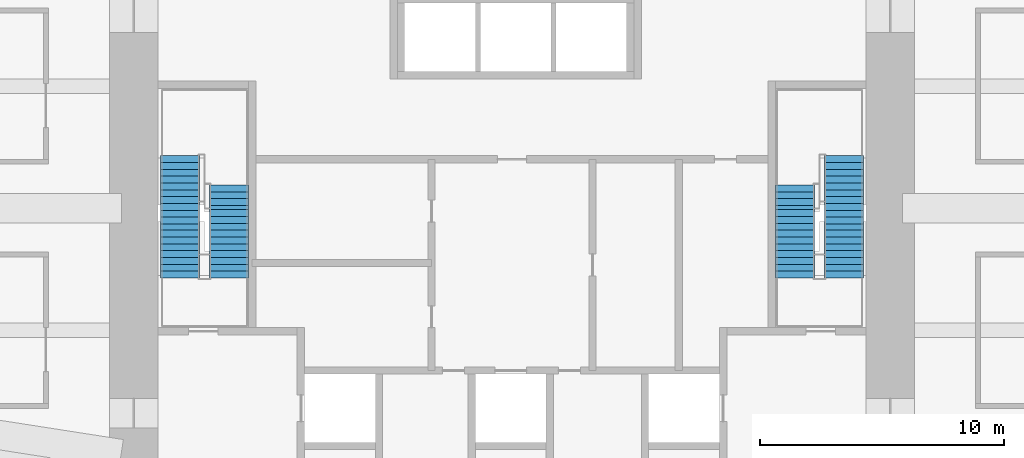
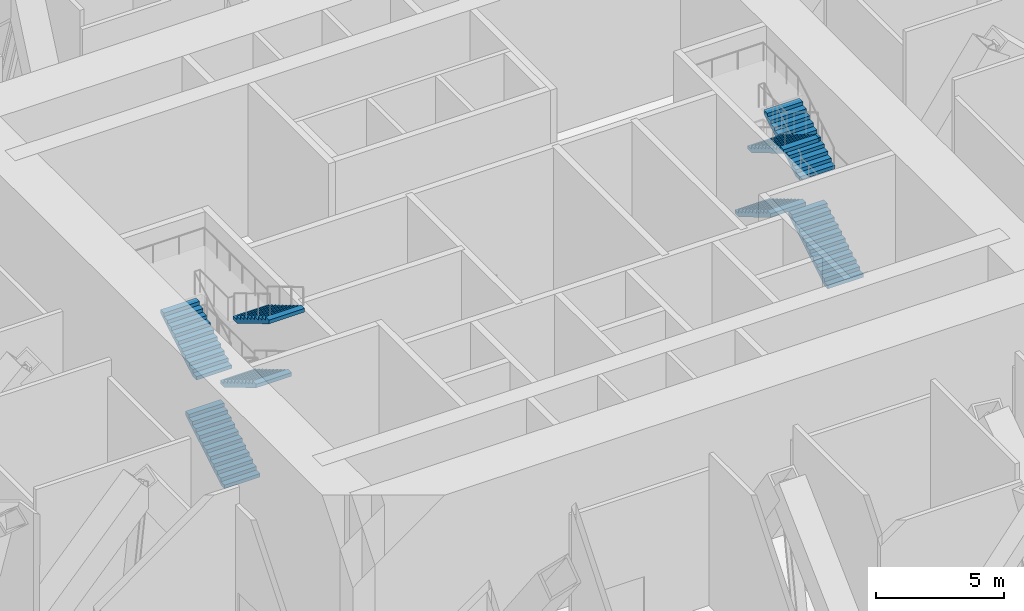
# One storey, part 18 of 20: 8 stair flights, 2 elements without a shape of their own.
"""IFC4 building model written with IfcOpenShell, lengths in metres."""

import ifcopenshell
import ifcopenshell.guid

model = None  # the IFC model being written
_history = None  # IfcOwnerHistory: only IFC2X3 demands one
_inside = {}  # id of a spatial element -> (the spatial element, [elements in it])
_under = {}  # id of a project, library or spatial element -> (it, [spatial elements below it])
_declared = {}  # id of a project -> (the project, [libraries it declares])
_typed = {}  # id of a type object -> (the type object, [elements of that type])
_made_of = {}  # id of a material, layer set ... -> (it, [elements and type objects made of it])


def new_model(schema):
    """Start an empty IFC model of exactly this schema.

    Asked for "IFC4X3", IfcOpenShell would pick the latest addendum, in which some entities
    have other attributes; the version numbers below select the first issue.
    IFC2X3 requires an IfcOwnerHistory on every rooted entity: one is made here for all.
    """
    global model, _history
    if schema == "IFC4X3":
        model = ifcopenshell.file(schema_version=(4, 3, 0, 0))
    else:
        model = ifcopenshell.file(schema=schema)
    _inside.clear()
    _under.clear()
    _declared.clear()
    _typed.clear()
    _made_of.clear()
    _history = None
    if model.schema == "IFC2X3":
        org = make("IfcOrganization", Name="unknown")
        user = make(
            "IfcPersonAndOrganization",
            ThePerson=make("IfcPerson", FamilyName="unknown"),
            TheOrganization=org,
        )
        app = make(
            "IfcApplication",
            ApplicationDeveloper=org,
            Version="unknown",
            ApplicationFullName="unknown",
            ApplicationIdentifier="unknown",
        )
        _history = make(
            "IfcOwnerHistory",
            OwningUser=user,
            OwningApplication=app,
            ChangeAction="ADDED",
            CreationDate=0,
        )
    return model


def make(cls, **values):
    """One entity of the class cls with the attributes given. An attribute that is None is left unset."""
    return model.create_entity(
        cls, **{name: value for name, value in values.items() if value is not None}
    )


def rooted(cls, **values):
    """An entity with a GlobalId (a new one), such as an element, a storey or a relation."""
    return make(cls, GlobalId=ifcopenshell.guid.new(), OwnerHistory=_history, **values)


def si_unit(unit_type, name, prefix=None):
    """IfcSIUnit, for example si_unit("LENGTHUNIT", "METRE", prefix="MILLI")."""
    return make("IfcSIUnit", UnitType=unit_type, Prefix=prefix, Name=name)


def assignment(units):
    """IfcUnitAssignment: the units of a project."""
    return None if units is None else make("IfcUnitAssignment", Units=units)


def point(xyz):
    """IfcCartesianPoint."""
    return None if xyz is None else make("IfcCartesianPoint", Coordinates=xyz)


def direction(xyz):
    """IfcDirection."""
    return None if xyz is None else make("IfcDirection", DirectionRatios=xyz)


def frame(location, z_axis=None, x_axis=None):
    """IfcAxis2Placement3D, a coordinate frame: its origin and axes. An axis left out is left unset."""
    return make(
        "IfcAxis2Placement3D",
        Location=point(location),
        Axis=direction(z_axis),
        RefDirection=direction(x_axis),
    )


def origin():
    """The frame at (0, 0, 0) with its axes left unset."""
    return frame((0.0, 0.0, 0.0))


def place(relative_to, where):
    """IfcLocalPlacement: puts the frame where relative to a parent placement (None: the world)."""
    return make(
        "IfcLocalPlacement", PlacementRelTo=relative_to, RelativePlacement=where
    )


def context(
    kind, dimensions, precision=None, world=None, true_north=None, identifier=None
):
    """IfcGeometricRepresentationContext, for example the 3D "Model" context."""
    return make(
        "IfcGeometricRepresentationContext",
        ContextIdentifier=identifier,
        ContextType=kind,
        CoordinateSpaceDimension=dimensions,
        Precision=precision,
        WorldCoordinateSystem=world,
        TrueNorth=true_north,
    )


def subcontext(parent, identifier, kind, view, scale=None):
    """IfcGeometricRepresentationSubContext, for example "Body" below "Model"."""
    return make(
        "IfcGeometricRepresentationSubContext",
        ContextIdentifier=identifier,
        ContextType=kind,
        ParentContext=parent,
        TargetScale=scale,
        TargetView=view,
    )


def project(units=None, contexts=None):
    """IfcProject with its units and contexts."""
    return rooted(
        "IfcProject",
        Name="project",
        RepresentationContexts=contexts,
        UnitsInContext=assignment(units),
    )


def spatial(cls, under=None, at=None, **own):
    """A site, building, storey or space (cls), placed at a placement, below another one or the project."""
    s = rooted(cls, ObjectPlacement=at, **own)
    if under is not None:
        _under.setdefault(under.id(), (under, []))[1].append(s)
    return s


def polyline(points):
    """IfcPolyline through the points."""
    return make("IfcPolyline", Points=[point(p) for p in points])


def outline(outer, holes=None, kind="AREA"):
    """IfcArbitraryClosedProfileDef: a profile drawn as a closed curve; with holes, ...WithVoids."""
    if holes is None:
        return make("IfcArbitraryClosedProfileDef", ProfileType=kind, OuterCurve=outer)
    return make(
        "IfcArbitraryProfileDefWithVoids",
        ProfileType=kind,
        OuterCurve=outer,
        InnerCurves=holes,
    )


def extrude(swept, where, along, depth):
    """IfcExtrudedAreaSolid: the profile swept, set in the frame where, extruded along a direction by depth."""
    return make(
        "IfcExtrudedAreaSolid",
        SweptArea=swept,
        Position=where,
        ExtrudedDirection=direction(along),
        Depth=depth,
    )


def shape(context_of_items, identifier, shape_type, items):
    """IfcShapeRepresentation: the items that make up one representation, for example the "Body"."""
    return make(
        "IfcShapeRepresentation",
        ContextOfItems=context_of_items,
        RepresentationIdentifier=identifier,
        RepresentationType=shape_type,
        Items=items,
    )


def material(Name=None, Category=None):
    """IfcMaterial."""
    return make("IfcMaterial", Name=Name, Category=Category)


def made_of(thing, what):
    """Note that an element or type object is made of a material, layer set ...; save() writes the relation."""
    if what is not None:
        _made_of.setdefault(what.id(), (what, []))[1].append(thing)
    return thing


def type_object(cls, material=None, **own):
    """A type object (cls), such as IfcWallType, which elements share."""
    return made_of(rooted(cls, **own), material)


def element(
    cls,
    number,
    at=None,
    inside=None,
    cuts=None,
    type_object=None,
    material=None,
    context=None,
    identifier="Body",
    shape_type=None,
    held_by="IfcProductDefinitionShape",
    body=None,
    shapes=None,
    **own,
):
    """One element of the class cls, such as IfcWall. Its Tag is "e" and its number.

    at: its placement. inside: the storey or other place that contains it. cuts: it is an
    opening in that element (IfcRelVoidsElement). A single representation is given by context,
    identifier, shape_type and body (its items); several are given by shapes. held_by: the class
    of the entity that holds the representations. save() writes the other relations.
    """
    e = rooted(cls, Tag="e%d" % number, ObjectPlacement=at, **own)
    if body is not None:
        shapes = [shape(context, identifier, shape_type, body)]
    if shapes is not None:
        e.Representation = make(held_by, Representations=shapes)
    if inside is not None:
        _inside.setdefault(inside.id(), (inside, []))[1].append(e)
    if cuts is not None:
        rooted(
            "IfcRelVoidsElement", RelatingBuildingElement=cuts, RelatedOpeningElement=e
        )
    if type_object is not None:
        _typed.setdefault(type_object.id(), (type_object, []))[1].append(e)
    return made_of(e, material)


def aggregate(whole, parts):
    """IfcRelAggregates: a whole, such as a stair, and the parts it consists of."""
    return rooted("IfcRelAggregates", RelatingObject=whole, RelatedObjects=parts)


def save(model, path):
    """Write the relations noted so far, then the file.

    IfcRelAggregates (storeys below a building ...), IfcRelContainedInSpatialStructure (elements
    in a storey), IfcRelDefinesByType, IfcRelAssociatesMaterial and IfcRelDeclares: one each for
    every whole, place, type object, material and project.
    """
    for whole, parts in _under.values():
        aggregate(whole, parts)
    for where, things in _inside.values():
        rooted(
            "IfcRelContainedInSpatialStructure",
            RelatedElements=things,
            RelatingStructure=where,
        )
    for kind, things in _typed.values():
        rooted("IfcRelDefinesByType", RelatedObjects=things, RelatingType=kind)
    for what, things in _made_of.values():
        rooted("IfcRelAssociatesMaterial", RelatedObjects=things, RelatingMaterial=what)
    for by, libraries in _declared.values():
        rooted("IfcRelDeclares", RelatingContext=by, RelatedDefinitions=libraries)
    model.write(path)


model = new_model("IFC4")

# Units and contexts
model_context = context("Model", 3, precision=1e-05, world=origin(), true_north=direction((0.0, 1.0)))
body_context = subcontext(model_context, "Body", "Model", "MODEL_VIEW")
ifc_project = project(units=[si_unit("LENGTHUNIT", "METRE"), si_unit("AREAUNIT", "SQUARE_METRE"), si_unit("VOLUMEUNIT", "CUBIC_METRE"), si_unit("PLANEANGLEUNIT", "RADIAN"), si_unit("MASSUNIT", "GRAM", prefix="KILO")], contexts=[model_context])

# Site, building, storey
site_placement = place(None, origin())
site = spatial("IfcSite", under=ifc_project, at=site_placement, CompositionType="ELEMENT")
building_placement = place(site_placement, origin())
building = spatial("IfcBuilding", under=site, at=building_placement, Name="Khuree Lantern Residences", CompositionType="ELEMENT")
storey_placement = place(building_placement, frame((0.0, 0.0, 99.75)))
storey = spatial("IfcBuildingStorey", under=building, at=storey_placement, Name="L25", CompositionType="ELEMENT", Elevation=99.75)

# Stair, stair flights
ifc_material = material(Name="Concrete C40/50", Category="concrete")
stair_type = type_object("IfcStairType", Name="STAIR ST1 HALF TURN 3600", PredefinedType="HALF_TURN_STAIR", material=ifc_material)
stair_1_placement = place(storey_placement, origin())
stair_1 = element("IfcStair", 1, at=stair_1_placement, inside=storey, type_object=stair_type, Name="Stair ST1", PredefinedType="HALF_TURN_STAIR")
stair_flight_type = type_object("IfcStairFlightType", Name="STAIR FLIGHT SF1 1600", PredefinedType="STRAIGHT", material=ifc_material)
stair_flight_1_placement = place(storey_placement, frame((-13.60009765625, -2.860107421875, 0.0), z_axis=(0.0, 0.0, 1.0), x_axis=(0.0, 1.0, 0.0)))
stair_flight_1 = element("IfcStairFlight", 2, at=stair_flight_1_placement, type_object=stair_flight_type, Name="ST1 flight 1", NumberOfRisers=12, NumberOfTreads=11, PredefinedType="STRAIGHT", RiserHeight=0.166666667, TreadLength=0.28, context=body_context, shape_type="SweptSolid", body=[
    extrude(outline(polyline([(0.0, 0.0), (0.0, 0.166748046875), (0.280029296875, 0.166748046875), (0.280029296875, 0.333251953125), (0.56005859375, 0.333251953125), (0.56005859375, 0.5), (0.840087890625, 0.5), (0.840087890625, 0.666748046875), (1.1201171875, 0.666748046875), (1.1201171875, 0.833251953125), (1.39990234375, 0.833251953125), (1.39990234375, 1.0), (1.679931640625, 1.0), (1.679931640625, 1.166748046875), (1.9599609375, 1.166748046875), (1.9599609375, 1.333251953125), (2.239990234375, 1.333251953125), (2.239990234375, 1.5), (2.52001953125, 1.5), (2.52001953125, 1.666748046875), (2.800048828125, 1.666748046875), (2.800048828125, 1.833251953125), (3.080078125, 1.833251953125), (3.080078125, 2.0), (3.080078125, 1.658935546875), (0.29296875, 0.0), (0.0, 0.0)])), frame((0.0, 0.800048828125, 0.0), z_axis=(0.0, -1.0, 0.0), x_axis=(1.0, 0.0, 0.0)), (0.0, 0.0, 1.0), 1.60009765625),
])
stair_flight_2_placement = place(storey_placement, frame((-11.60009765625, 0.949951171875, 2.0), z_axis=(0.0, 0.0, 1.0), x_axis=(0.0, -1.0, 0.0)))
stair_flight_2 = element("IfcStairFlight", 3, at=stair_flight_2_placement, type_object=stair_flight_type, Name="ST1 flight 2", NumberOfRisers=11, NumberOfTreads=10, PredefinedType="STRAIGHT", RiserHeight=0.166666667, TreadLength=0.28, context=body_context, shape_type="SweptSolid", body=[
    extrude(outline(polyline([(0.0, 0.0), (0.0, 0.166748046875), (0.280029296875, 0.166748046875), (0.280029296875, 0.333251953125), (0.56005859375, 0.333251953125), (0.56005859375, 0.5), (0.840087890625, 0.5), (0.840087890625, 0.666748046875), (1.1201171875, 0.666748046875), (1.1201171875, 0.833251953125), (1.39990234375, 0.833251953125), (1.39990234375, 1.0), (1.679931640625, 1.0), (1.679931640625, 1.166748046875), (1.9599609375, 1.166748046875), (1.9599609375, 1.333251953125), (2.239990234375, 1.333251953125), (2.239990234375, 1.5), (2.52001953125, 1.5), (2.52001953125, 1.666748046875), (2.800048828125, 1.666748046875), (2.800048828125, 1.833251953125), (2.800048828125, 1.4921875), (0.29296875, 0.0), (0.0, 0.0)])), frame((0.0, 0.800048828125, 0.0), z_axis=(0.0, -1.0, 0.0), x_axis=(1.0, 0.0, 0.0)), (0.0, 0.0, 1.0), 1.60009765625),
])
stair_flight_3_placement = place(storey_placement, frame((-13.60009765625, -0.64990234375, 3.833251953125), z_axis=(0.0, 0.0, 1.0), x_axis=(0.0, 1.0, 0.0)))
stair_flight_3 = element("IfcStairFlight", 4, at=stair_flight_3_placement, type_object=stair_flight_type, Name="ST1 flight 3", NumberOfRisers=11, NumberOfTreads=10, PredefinedType="STRAIGHT", RiserHeight=0.166666667, TreadLength=0.28, context=body_context, shape_type="SweptSolid", body=[
    extrude(outline(polyline([(0.0, 0.0), (0.0, 0.166748046875), (0.280029296875, 0.166748046875), (0.280029296875, 0.333251953125), (0.56005859375, 0.333251953125), (0.56005859375, 0.5), (0.840087890625, 0.5), (0.840087890625, 0.666748046875), (1.1201171875, 0.666748046875), (1.1201171875, 0.833251953125), (1.39990234375, 0.833251953125), (1.39990234375, 1.0), (1.679931640625, 1.0), (1.679931640625, 1.166748046875), (1.9599609375, 1.166748046875), (1.9599609375, 1.333251953125), (2.239990234375, 1.333251953125), (2.239990234375, 1.5), (2.52001953125, 1.5), (2.52001953125, 1.666748046875), (2.800048828125, 1.666748046875), (2.800048828125, 1.833251953125), (2.800048828125, 1.4921875), (0.29296875, 0.0), (0.0, 0.0)])), frame((0.0, 0.800048828125, 0.0), z_axis=(0.0, -1.0, 0.0), x_axis=(1.0, 0.0, 0.0)), (0.0, 0.0, 1.0), 1.60009765625),
])
stair_flight_4_placement = place(storey_placement, frame((-11.60009765625, -0.06005859375, 5.666748046875), z_axis=(0.0, 0.0, 1.0), x_axis=(0.0, -1.0, 0.0)))
stair_flight_4 = element("IfcStairFlight", 5, at=stair_flight_4_placement, type_object=stair_flight_type, Name="ST1 flight 4", NumberOfRisers=11, NumberOfTreads=10, PredefinedType="STRAIGHT", RiserHeight=0.166666667, TreadLength=0.28, context=body_context, shape_type="SweptSolid", body=[
    extrude(outline(polyline([(0.0, 0.0), (0.0, 0.166748046875), (0.280029296875, 0.166748046875), (0.280029296875, 0.333251953125), (0.56005859375, 0.333251953125), (0.56005859375, 0.5), (0.840087890625, 0.5), (0.840087890625, 0.666748046875), (1.1201171875, 0.666748046875), (1.1201171875, 0.833251953125), (1.39990234375, 0.833251953125), (1.39990234375, 1.0), (1.679931640625, 1.0), (1.679931640625, 1.166748046875), (1.9599609375, 1.166748046875), (1.9599609375, 1.333251953125), (2.239990234375, 1.333251953125), (2.239990234375, 1.5), (2.52001953125, 1.5), (2.52001953125, 1.666748046875), (2.800048828125, 1.666748046875), (2.800048828125, 1.833251953125), (2.800048828125, 1.4921875), (0.29296875, 0.0), (0.0, 0.0)])), frame((0.0, 0.800048828125, 0.0), z_axis=(0.0, -1.0, 0.0), x_axis=(1.0, 0.0, 0.0)), (0.0, 0.0, 1.0), 1.60009765625),
])
aggregate(stair_1, [stair_flight_1, stair_flight_2, stair_flight_3, stair_flight_4])

stair_2_placement = place(storey_placement, origin())
stair_2 = element("IfcStair", 6, at=stair_2_placement, inside=storey, type_object=stair_type, Name="Stair ST2", PredefinedType="HALF_TURN_STAIR")
stair_flight_5_placement = place(storey_placement, frame((13.60009765625, -2.860107421875, 0.0), z_axis=(0.0, 0.0, 1.0), x_axis=(0.0, 1.0, 0.0)))
stair_flight_5 = element("IfcStairFlight", 7, at=stair_flight_5_placement, type_object=stair_flight_type, Name="ST2 flight 1", NumberOfRisers=12, NumberOfTreads=11, PredefinedType="STRAIGHT", RiserHeight=0.166666667, TreadLength=0.28, context=body_context, shape_type="SweptSolid", body=[
    extrude(outline(polyline([(0.0, 0.0), (0.0, 0.166748046875), (0.280029296875, 0.166748046875), (0.280029296875, 0.333251953125), (0.56005859375, 0.333251953125), (0.56005859375, 0.5), (0.840087890625, 0.5), (0.840087890625, 0.666748046875), (1.1201171875, 0.666748046875), (1.1201171875, 0.833251953125), (1.39990234375, 0.833251953125), (1.39990234375, 1.0), (1.679931640625, 1.0), (1.679931640625, 1.166748046875), (1.9599609375, 1.166748046875), (1.9599609375, 1.333251953125), (2.239990234375, 1.333251953125), (2.239990234375, 1.5), (2.52001953125, 1.5), (2.52001953125, 1.666748046875), (2.800048828125, 1.666748046875), (2.800048828125, 1.833251953125), (3.080078125, 1.833251953125), (3.080078125, 2.0), (3.080078125, 1.658935546875), (0.29296875, 0.0), (0.0, 0.0)])), frame((0.0, 0.800048828125, 0.0), z_axis=(0.0, -1.0, 0.0), x_axis=(1.0, 0.0, 0.0)), (0.0, 0.0, 1.0), 1.60009765625),
])
stair_flight_6_placement = place(storey_placement, frame((11.60009765625, 0.949951171875, 2.0), z_axis=(0.0, 0.0, 1.0), x_axis=(0.0, -1.0, 0.0)))
stair_flight_6 = element("IfcStairFlight", 8, at=stair_flight_6_placement, type_object=stair_flight_type, Name="ST2 flight 2", NumberOfRisers=11, NumberOfTreads=10, PredefinedType="STRAIGHT", RiserHeight=0.166666667, TreadLength=0.28, context=body_context, shape_type="SweptSolid", body=[
    extrude(outline(polyline([(0.0, 0.0), (0.0, 0.166748046875), (0.280029296875, 0.166748046875), (0.280029296875, 0.333251953125), (0.56005859375, 0.333251953125), (0.56005859375, 0.5), (0.840087890625, 0.5), (0.840087890625, 0.666748046875), (1.1201171875, 0.666748046875), (1.1201171875, 0.833251953125), (1.39990234375, 0.833251953125), (1.39990234375, 1.0), (1.679931640625, 1.0), (1.679931640625, 1.166748046875), (1.9599609375, 1.166748046875), (1.9599609375, 1.333251953125), (2.239990234375, 1.333251953125), (2.239990234375, 1.5), (2.52001953125, 1.5), (2.52001953125, 1.666748046875), (2.800048828125, 1.666748046875), (2.800048828125, 1.833251953125), (2.800048828125, 1.4921875), (0.29296875, 0.0), (0.0, 0.0)])), frame((0.0, 0.800048828125, 0.0), z_axis=(0.0, -1.0, 0.0), x_axis=(1.0, 0.0, 0.0)), (0.0, 0.0, 1.0), 1.60009765625),
])
stair_flight_7_placement = place(storey_placement, frame((13.60009765625, -0.64990234375, 3.833251953125), z_axis=(0.0, 0.0, 1.0), x_axis=(0.0, 1.0, 0.0)))
stair_flight_7 = element("IfcStairFlight", 9, at=stair_flight_7_placement, type_object=stair_flight_type, Name="ST2 flight 3", NumberOfRisers=11, NumberOfTreads=10, PredefinedType="STRAIGHT", RiserHeight=0.166666667, TreadLength=0.28, context=body_context, shape_type="SweptSolid", body=[
    extrude(outline(polyline([(0.0, 0.0), (0.0, 0.166748046875), (0.280029296875, 0.166748046875), (0.280029296875, 0.333251953125), (0.56005859375, 0.333251953125), (0.56005859375, 0.5), (0.840087890625, 0.5), (0.840087890625, 0.666748046875), (1.1201171875, 0.666748046875), (1.1201171875, 0.833251953125), (1.39990234375, 0.833251953125), (1.39990234375, 1.0), (1.679931640625, 1.0), (1.679931640625, 1.166748046875), (1.9599609375, 1.166748046875), (1.9599609375, 1.333251953125), (2.239990234375, 1.333251953125), (2.239990234375, 1.5), (2.52001953125, 1.5), (2.52001953125, 1.666748046875), (2.800048828125, 1.666748046875), (2.800048828125, 1.833251953125), (2.800048828125, 1.4921875), (0.29296875, 0.0), (0.0, 0.0)])), frame((0.0, 0.800048828125, 0.0), z_axis=(0.0, -1.0, 0.0), x_axis=(1.0, 0.0, 0.0)), (0.0, 0.0, 1.0), 1.60009765625),
])
stair_flight_8_placement = place(storey_placement, frame((11.60009765625, -0.06005859375, 5.666748046875), z_axis=(0.0, 0.0, 1.0), x_axis=(0.0, -1.0, 0.0)))
stair_flight_8 = element("IfcStairFlight", 10, at=stair_flight_8_placement, type_object=stair_flight_type, Name="ST2 flight 4", NumberOfRisers=11, NumberOfTreads=10, PredefinedType="STRAIGHT", RiserHeight=0.166666667, TreadLength=0.28, context=body_context, shape_type="SweptSolid", body=[
    extrude(outline(polyline([(0.0, 0.0), (0.0, 0.166748046875), (0.280029296875, 0.166748046875), (0.280029296875, 0.333251953125), (0.56005859375, 0.333251953125), (0.56005859375, 0.5), (0.840087890625, 0.5), (0.840087890625, 0.666748046875), (1.1201171875, 0.666748046875), (1.1201171875, 0.833251953125), (1.39990234375, 0.833251953125), (1.39990234375, 1.0), (1.679931640625, 1.0), (1.679931640625, 1.166748046875), (1.9599609375, 1.166748046875), (1.9599609375, 1.333251953125), (2.239990234375, 1.333251953125), (2.239990234375, 1.5), (2.52001953125, 1.5), (2.52001953125, 1.666748046875), (2.800048828125, 1.666748046875), (2.800048828125, 1.833251953125), (2.800048828125, 1.4921875), (0.29296875, 0.0), (0.0, 0.0)])), frame((0.0, 0.800048828125, 0.0), z_axis=(0.0, -1.0, 0.0), x_axis=(1.0, 0.0, 0.0)), (0.0, 0.0, 1.0), 1.60009765625),
])
aggregate(stair_2, [stair_flight_5, stair_flight_6, stair_flight_7, stair_flight_8])

save(model, "model.ifc")
